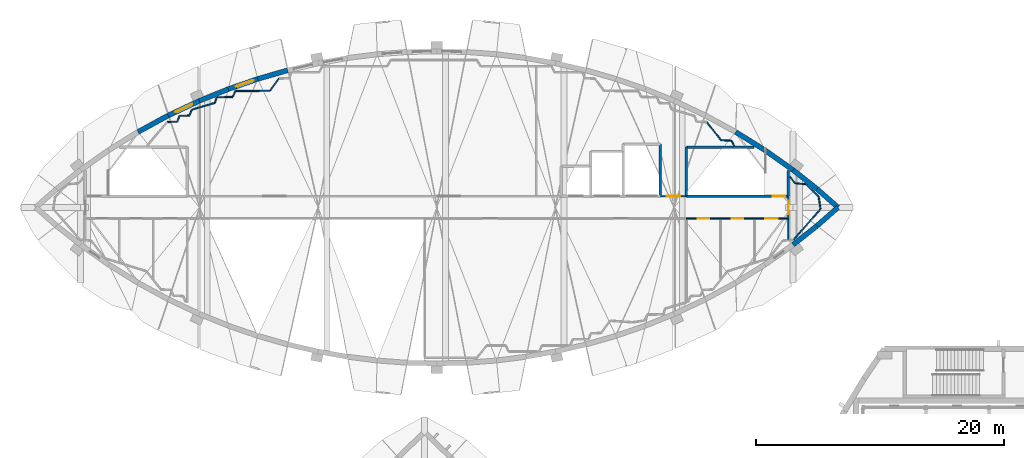
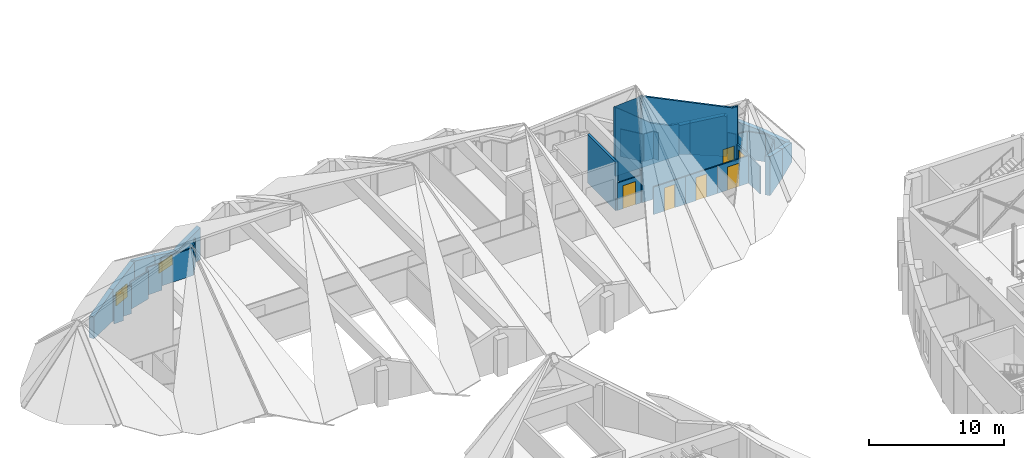
# One storey, part 41 of 56: 40 walls, 6 doors, 2 windows, 8 openings.
"""IFC4 building model written with IfcOpenShell, lengths in metres."""

from ifc_helpers import new_model, si_unit, direction, frame, frame_2d, origin, place, context, subcontext, project, spatial, polyline, rectangle, outline, extrude, material, layer, layer_set, type_object, element, fill, save


model = new_model("IFC4")

# Units and contexts
model_context = context("Model", 3, precision=1e-05, world=origin(), true_north=direction((0.0, 1.0)))
body_context = subcontext(model_context, "Body", "Model", "MODEL_VIEW")
ifc_project = project(units=[si_unit("LENGTHUNIT", "METRE"), si_unit("AREAUNIT", "SQUARE_METRE"), si_unit("VOLUMEUNIT", "CUBIC_METRE"), si_unit("PLANEANGLEUNIT", "RADIAN"), si_unit("MASSUNIT", "GRAM", prefix="KILO")], contexts=[model_context])

# Site, building, storey
site_placement = place(None, origin())
site = spatial("IfcSite", under=ifc_project, at=site_placement, CompositionType="ELEMENT")
building_placement = place(site_placement, origin())
building = spatial("IfcBuilding", under=site, at=building_placement, Name="Tide Square Theatres", CompositionType="ELEMENT")
storey_placement = place(building_placement, frame((0.0, 0.0, 10.199951171875)))
storey = spatial("IfcBuildingStorey", under=building, at=storey_placement, Name="L02", CompositionType="ELEMENT", Elevation=10.199951171875)

# Walls
ifc_material_1 = material(Name="Gypsum board on steel studs", Category="steel")
ifc_layer_1 = layer(ifc_material_1, 0.10009765625)
ifc_layer_set_1 = layer_set([ifc_layer_1], Name="Gypsum board on steel studs")
wall_type_1 = type_object("IfcWallType", Name="Partition 100 thick", PredefinedType="PARTITIONING", material=ifc_layer_set_1)
wall_1_placement = place(storey_placement, frame((15.31689453125, 104.671630859375, 0.0), z_axis=(0.0, 0.0, 1.0), x_axis=(0.999041078843, 0.043782676762, 0.0)))
element("IfcWall", 1, at=wall_1_placement, inside=storey, type_object=wall_type_1, Name="Scenery Workshops partition", PredefinedType="PARTITIONING", context=body_context, shape_type="SweptSolid", body=[
    extrude(rectangle(XDim=0.79736328125, YDim=0.10009765625, at=frame_2d((0.398681640625, 0.0))), origin(), (0.0, 0.0, 1.0), 2.5),
])
wall_2_placement = place(storey_placement, frame((16.12353515625, 104.734619140625, 0.0), z_axis=(0.0, 0.0, 1.0), x_axis=(0.332820117735, 0.942990333583, 0.0)))
element("IfcWall", 2, at=wall_2_placement, inside=storey, type_object=wall_type_1, Name="Scenery Workshops partition", PredefinedType="PARTITIONING", context=body_context, shape_type="SweptSolid", body=[
    extrude(rectangle(XDim=0.462158203125, YDim=0.10009765625, at=frame_2d((0.23095703125, 0.0))), origin(), (0.0, 0.0, 1.0), 2.5),
])
wall_3_placement = place(storey_placement, frame((16.307373046875, 105.171142578125, 0.0), z_axis=(0.0, 0.0, 1.0), x_axis=(0.999576631728, 0.029095657825, 0.0)))
element("IfcWall", 3, at=wall_3_placement, inside=storey, type_object=wall_type_1, Name="Scenery Workshops partition", PredefinedType="PARTITIONING", context=body_context, shape_type="SweptSolid", body=[
    extrude(rectangle(XDim=0.7802734375, YDim=0.10009765625, at=frame_2d((0.39013671875, 0.0))), origin(), (0.0, 0.0, 1.0), 2.5),
])
wall_4_placement = place(storey_placement, frame((17.0986328125, 105.2216796875, 0.0), z_axis=(0.0, 0.0, 1.0), x_axis=(0.372361867237, 0.928087625081, 0.0)))
element("IfcWall", 4, at=wall_4_placement, inside=storey, type_object=wall_type_1, Name="Scenery Workshops partition", PredefinedType="PARTITIONING", context=body_context, shape_type="SweptSolid", body=[
    extrude(rectangle(XDim=0.4765625, YDim=0.10009765625, at=frame_2d((0.23828125, 0.0))), origin(), (0.0, 0.0, 1.0), 2.5),
])
wall_5_placement = place(storey_placement, frame((17.304931640625, 105.672607421875, 0.0), z_axis=(0.0, 0.0, 1.0), x_axis=(0.958756845545, 0.284227569247, 0.0)))
element("IfcWall", 5, at=wall_5_placement, inside=storey, type_object=wall_type_1, Name="Scenery Workshops partition", PredefinedType="PARTITIONING", context=body_context, shape_type="SweptSolid", body=[
    extrude(rectangle(XDim=1.910400390625, YDim=0.10009765625, at=frame_2d((0.955078125, 0.0))), origin(), (0.0, 0.0, 1.0), 2.5),
])
wall_6_placement = place(storey_placement, frame((19.145263671875, 106.244140625, 0.0), z_axis=(0.0, 0.0, 1.0), x_axis=(0.293663113094, 0.955908978935, 0.0)))
element("IfcWall", 6, at=wall_6_placement, inside=storey, type_object=wall_type_1, Name="Scenery Workshops partition", PredefinedType="PARTITIONING", context=body_context, shape_type="SweptSolid", body=[
    extrude(rectangle(XDim=0.446533203125, YDim=0.10009765625, at=frame_2d((0.22314453125, 0.0))), origin(), (0.0, 0.0, 1.0), 2.5),
])
wall_7_placement = place(storey_placement, frame((19.306396484375, 106.671142578125, 0.0), z_axis=(0.0, 0.0, 1.0), x_axis=(0.999946760125, 0.010318765243, 0.0)))
element("IfcWall", 7, at=wall_7_placement, inside=storey, type_object=wall_type_1, Name="Scenery Workshops partition", PredefinedType="PARTITIONING", context=body_context, shape_type="SweptSolid", body=[
    extrude(rectangle(XDim=1.25390625, YDim=0.10009765625, at=frame_2d((0.626953125, 0.0))), origin(), (0.0, 0.0, 1.0), 2.5),
])
wall_8_placement = place(storey_placement, frame((20.572509765625, 106.71142578125, 0.0), z_axis=(0.0, 0.0, 1.0), x_axis=(0.412014757563, 0.911177172426, 0.0)))
element("IfcWall", 8, at=wall_8_placement, inside=storey, type_object=wall_type_1, Name="Scenery Workshops partition", PredefinedType="PARTITIONING", context=body_context, shape_type="SweptSolid", body=[
    extrude(rectangle(XDim=0.504150390625, YDim=0.10009765625, at=frame_2d((0.251953125, 0.0))), origin(), (0.0, 0.0, 1.0), 2.5),
])
wall_9_placement = place(storey_placement, frame((20.810302734375, 107.171142578125, 0.0), z_axis=(0.0, 0.0, 1.0), x_axis=(0.999988553572, 0.004784634228, 0.0)))
element("IfcWall", 9, at=wall_9_placement, inside=storey, type_object=wall_type_1, Name="Scenery Workshops partition", PredefinedType="PARTITIONING", context=body_context, shape_type="SweptSolid", body=[
    extrude(rectangle(XDim=2.75537109375, YDim=0.10009765625, at=frame_2d((1.377685546875, 0.0))), origin(), (0.0, 0.0, 1.0), 2.5),
])
wall_10_placement = place(storey_placement, frame((23.58349609375, 107.20849609375, 0.0), z_axis=(0.0, 0.0, 1.0), x_axis=(0.589317177095, 0.807901766789, 0.0)))
element("IfcWall", 10, at=wall_10_placement, inside=storey, type_object=wall_type_1, Name="Scenery Workshops partition", PredefinedType="PARTITIONING", context=body_context, shape_type="SweptSolid", body=[
    extrude(rectangle(XDim=1.190673828125, YDim=0.10009765625, at=frame_2d((0.59521484375, 0.0))), origin(), (0.0, 0.0, 1.0), 2.5),
])
wall_11_placement = place(storey_placement, frame((58.738037109375, 104.6552734375, 0.0), z_axis=(0.0, 0.0, 1.0), x_axis=(0.622327045202, -0.782757337117, 0.0)))
element("IfcWall", 11, at=wall_11_placement, inside=storey, type_object=wall_type_1, Name="Scenery Workshops partition", PredefinedType="PARTITIONING", context=body_context, shape_type="SweptSolid", body=[
    extrude(rectangle(XDim=1.8505859375, YDim=0.10009765625, at=frame_2d((0.92529296875, 0.0))), origin(), (0.0, 0.0, 1.0), 2.5),
])
wall_12_placement = place(storey_placement, frame((59.90966796875, 103.2060546875, 0.0), z_axis=(0.0, 0.0, 1.0), x_axis=(0.999060075572, -0.043347034482, 0.0)))
element("IfcWall", 12, at=wall_12_placement, inside=storey, type_object=wall_type_1, Name="Scenery Workshops partition", PredefinedType="PARTITIONING", context=body_context, shape_type="SweptSolid", body=[
    extrude(rectangle(XDim=0.822265625, YDim=0.10009765625, at=frame_2d((0.4111328125, 0.0))), origin(), (0.0, 0.0, 1.0), 2.5),
])
wall_13_placement = place(storey_placement, frame((60.74462890625, 103.1435546875, 0.0), z_axis=(0.0, 0.0, 1.0), x_axis=(0.450395374541, -0.892829214683, 0.0)))
element("IfcWall", 13, at=wall_13_placement, inside=storey, type_object=wall_type_1, Name="Scenery Workshops partition", PredefinedType="PARTITIONING", context=body_context, shape_type="SweptSolid", body=[
    extrude(rectangle(XDim=0.42919921875, YDim=0.10009765625, at=frame_2d((0.214599609375, 0.0))), origin(), (0.0, 0.0, 1.0), 2.5),
])

# Wall, opening, door
wall_14_placement = place(storey_placement, frame((55.030029296875, 98.699951171875, 0.0), z_axis=(0.0, 0.0, 1.0), x_axis=(1.0, 0.0, 0.0)))
wall_14 = element("IfcWall", 14, at=wall_14_placement, inside=storey, type_object=wall_type_1, Name="Scenery Workshops partition", PredefinedType="PARTITIONING", context=body_context, shape_type="SweptSolid", body=[
    extrude(rectangle(XDim=2.0400390625, YDim=0.10009765625, at=frame_2d((1.02001953125, 0.0))), origin(), (0.0, 0.0, 1.0), 2.5),
])
opening_1_placement = place(wall_14_placement, frame((0.469970703125, 0.0, 0.0)))
opening_1 = element("IfcOpeningElement", 15, at=opening_1_placement, cuts=wall_14, Name="Opening W2-13", PredefinedType="OPENING", context=body_context, shape_type="SweptSolid", body=[
    extrude(rectangle(XDim=1.10009765625, YDim=2.10009765625, at=frame_2d((0.550048828125, 1.050048828125))), frame((0.0, 0.06005859375, 0.0), z_axis=(0.0, -1.0, 0.0), x_axis=(1.0, 0.0, 0.0)), (0.0, 0.0, 1.0), 0.1201171875),
])
ifc_material_2 = material(Name="Painted steel", Category="steel")
door_type_1 = type_object("IfcDoorType", Name="Door 1100 x 2100 single leaf", OperationType="NOTDEFINED", PredefinedType="DOOR", material=ifc_material_2)
door_1_placement = place(opening_1_placement, origin())
door_1 = element("IfcDoor", 16, at=door_1_placement, inside=storey, type_object=door_type_1, Name="Scenery Workshops door W2-13 to Timber and Paint Store 02", OperationType="SINGLE_SWING_RIGHT", OverallHeight=2.10009765625, OverallWidth=1.10009765625, PredefinedType="DOOR", context=body_context, shape_type="SweptSolid", body=[
    extrude(rectangle(XDim=1.10009765625, YDim=2.10009765625, at=frame_2d((0.550048828125, 1.050048828125))), frame((0.0, 0.02490234375, 0.0), z_axis=(0.0, -1.0, 0.0), x_axis=(1.0, 0.0, 0.0)), (0.0, 0.0, 1.0), 0.050048828125),
])
fill(opening_1, door_1)

wall_15_placement = place(storey_placement, frame((59.833251953125, 96.89990234375, 0.0), z_axis=(0.0, 0.0, 1.0), x_axis=(-1.0, 0.0, 0.0)))
wall_15 = element("IfcWall", 17, at=wall_15_placement, inside=storey, type_object=wall_type_1, Name="Scenery Workshops partition", PredefinedType="PARTITIONING", context=body_context, shape_type="SweptSolid", body=[
    extrude(rectangle(XDim=2.733154296875, YDim=0.10009765625, at=frame_2d((1.36669921875, 0.0))), origin(), (0.0, 0.0, 1.0), 2.5),
])
opening_2_placement = place(wall_15_placement, frame((0.916748046875, 0.0, 0.0)))
opening_2 = element("IfcOpeningElement", 18, at=opening_2_placement, cuts=wall_15, Name="Opening W2-04", PredefinedType="OPENING", context=body_context, shape_type="SweptSolid", body=[
    extrude(rectangle(XDim=0.89990234375, YDim=2.10009765625, at=frame_2d((0.449951171875, 1.050048828125))), frame((0.0, 0.06005859375, 0.0), z_axis=(0.0, -1.0, 0.0), x_axis=(1.0, 0.0, 0.0)), (0.0, 0.0, 1.0), 0.1201171875),
])
ifc_material_3 = material(Name="Hardwood timber", Category="wood")
door_type_2 = type_object("IfcDoorType", Name="Door 900 x 2100 single leaf", OperationType="NOTDEFINED", PredefinedType="DOOR", material=ifc_material_3)
door_2_placement = place(opening_2_placement, origin())
door_2 = element("IfcDoor", 19, at=door_2_placement, inside=storey, type_object=door_type_2, Name="Scenery Workshops door W2-04 to Gents WC E", OperationType="SINGLE_SWING_RIGHT", OverallHeight=2.10009765625, OverallWidth=0.89990234375, PredefinedType="DOOR", context=body_context, shape_type="SweptSolid", body=[
    extrude(rectangle(XDim=0.89990234375, YDim=2.10009765625, at=frame_2d((0.449951171875, 1.050048828125))), frame((0.0, 0.02490234375, 0.0), z_axis=(0.0, -1.0, 0.0), x_axis=(1.0, 0.0, 0.0)), (0.0, 0.0, 1.0), 0.050048828125),
])
fill(opening_2, door_2)

wall_16_placement = place(storey_placement, frame((62.566650390625, 96.89990234375, 0.0), z_axis=(0.0, 0.0, 1.0), x_axis=(-1.0, 0.0, 0.0)))
wall_16 = element("IfcWall", 20, at=wall_16_placement, inside=storey, type_object=wall_type_1, Name="Scenery Workshops partition", PredefinedType="PARTITIONING", context=body_context, shape_type="SweptSolid", body=[
    extrude(rectangle(XDim=2.7333984375, YDim=0.10009765625, at=frame_2d((1.36669921875, 0.0))), origin(), (0.0, 0.0, 1.0), 2.5),
])
opening_3_placement = place(wall_16_placement, frame((0.916748046875, 0.0, 0.0)))
opening_3 = element("IfcOpeningElement", 21, at=opening_3_placement, cuts=wall_16, Name="Opening W2-05", PredefinedType="OPENING", context=body_context, shape_type="SweptSolid", body=[
    extrude(rectangle(XDim=0.89990234375, YDim=2.10009765625, at=frame_2d((0.449951171875, 1.050048828125))), frame((0.0, 0.06005859375, 0.0), z_axis=(0.0, -1.0, 0.0), x_axis=(1.0, 0.0, 0.0)), (0.0, 0.0, 1.0), 0.1201171875),
])
door_3_placement = place(opening_3_placement, origin())
door_3 = element("IfcDoor", 22, at=door_3_placement, inside=storey, type_object=door_type_2, Name="Scenery Workshops door W2-05 to Ladies WC E", OperationType="SINGLE_SWING_RIGHT", OverallHeight=2.10009765625, OverallWidth=0.89990234375, PredefinedType="DOOR", context=body_context, shape_type="SweptSolid", body=[
    extrude(rectangle(XDim=0.89990234375, YDim=2.10009765625, at=frame_2d((0.449951171875, 1.050048828125))), frame((0.0, 0.02490234375, 0.0), z_axis=(0.0, -1.0, 0.0), x_axis=(1.0, 0.0, 0.0)), (0.0, 0.0, 1.0), 0.050048828125),
])
fill(opening_3, door_3)

wall_17_placement = place(storey_placement, frame((65.300048828125, 96.89990234375, 0.0), z_axis=(0.0, 0.0, 1.0), x_axis=(-1.0, 0.0, 0.0)))
wall_17 = element("IfcWall", 23, at=wall_17_placement, inside=storey, type_object=wall_type_1, Name="Scenery Workshops partition", PredefinedType="PARTITIONING", context=body_context, shape_type="SweptSolid", body=[
    extrude(rectangle(XDim=2.7333984375, YDim=0.10009765625, at=frame_2d((1.36669921875, 0.0))), origin(), (0.0, 0.0, 1.0), 2.5),
])
opening_4_placement = place(wall_17_placement, frame((0.86669921875, 0.0, 0.0)))
opening_4 = element("IfcOpeningElement", 24, at=opening_4_placement, cuts=wall_17, Name="Opening W2-06", PredefinedType="OPENING", context=body_context, shape_type="SweptSolid", body=[
    extrude(rectangle(XDim=1.0, YDim=2.10009765625, at=frame_2d((0.5, 1.050048828125))), frame((0.0, 0.06005859375, 0.0), z_axis=(0.0, -1.0, 0.0), x_axis=(1.0, 0.0, 0.0)), (0.0, 0.0, 1.0), 0.1201171875),
])
ifc_material_4 = material(Name="Hardwood timber", Category="wood")
door_type_3 = type_object("IfcDoorType", Name="Door 1000 x 2100 single leaf", OperationType="NOTDEFINED", PredefinedType="DOOR", material=ifc_material_4)
door_4_placement = place(opening_4_placement, origin())
door_4 = element("IfcDoor", 25, at=door_4_placement, inside=storey, type_object=door_type_3, Name="Scenery Workshops door W2-06 to Accessible WC E", OperationType="SINGLE_SWING_RIGHT", OverallHeight=2.10009765625, OverallWidth=1.0, PredefinedType="DOOR", context=body_context, shape_type="SweptSolid", body=[
    extrude(rectangle(XDim=1.0, YDim=2.10009765625, at=frame_2d((0.5, 1.050048828125))), frame((0.0, 0.02490234375, 0.0), z_axis=(0.0, -1.0, 0.0), x_axis=(1.0, 0.0, 0.0)), (0.0, 0.0, 1.0), 0.050048828125),
])
fill(opening_4, door_4)

# Walls
wall_18_placement = place(storey_placement, frame((66.751953125, 99.641845703125, 0.0), z_axis=(0.0, 0.0, 1.0), x_axis=(0.707106781187, -0.707106781187, 0.0)))
element("IfcWall", 26, at=wall_18_placement, inside=storey, type_object=wall_type_1, Name="Scenery Workshops partition", PredefinedType="PARTITIONING", context=body_context, shape_type="SweptSolid", body=[
    extrude(rectangle(XDim=1.402099609375, YDim=0.10009765625, at=frame_2d((0.701171875, 0.0))), origin(), (0.0, 0.0, 1.0), 2.5),
])
wall_19_placement = place(storey_placement, frame((67.746337890625, 98.630615234375, 0.0), z_axis=(0.0, 0.0, 1.0), x_axis=(0.146903586496, -0.989150815738, 0.0)))
element("IfcWall", 27, at=wall_19_placement, inside=storey, type_object=wall_type_1, Name="Scenery Workshops partition", PredefinedType="PARTITIONING", context=body_context, shape_type="SweptSolid", body=[
    extrude(rectangle(XDim=0.97216796875, YDim=0.10009765625, at=frame_2d((0.486083984375, 0.0))), origin(), (0.0, 0.0, 1.0), 2.5),
])
wall_20_placement = place(storey_placement, frame((67.8759765625, 97.65380859375, 0.0), z_axis=(0.0, 0.0, 1.0), x_axis=(-0.658039089544, -0.752983769169, 0.0)))
element("IfcWall", 28, at=wall_20_placement, inside=storey, type_object=wall_type_1, Name="Scenery Workshops partition", PredefinedType="PARTITIONING", context=body_context, shape_type="SweptSolid", body=[
    extrude(rectangle(XDim=3.268310546875, YDim=0.10009765625, at=frame_2d((1.63427734375, 0.0))), origin(), (0.0, 0.0, 1.0), 2.5),
])
wall_21_placement = place(storey_placement, frame((65.300048828125, 96.8701171875, 0.0), z_axis=(0.0, 0.0, 1.0), x_axis=(0.0, -1.0, 0.0)))
element("IfcWall", 29, at=wall_21_placement, inside=storey, type_object=wall_type_1, Name="Scenery Workshops partition", PredefinedType="PARTITIONING", context=body_context, shape_type="SweptSolid", body=[
    extrude(rectangle(XDim=1.6708984375, YDim=0.10009765625, at=frame_2d((0.83544921875, 0.0))), origin(), (0.0, 0.0, 1.0), 2.5),
])

# Wall, opening, door
wall_22_placement = place(storey_placement, frame((65.300048828125, 98.669921875, 0.0), z_axis=(0.0, 0.0, 1.0), x_axis=(0.0, -1.0, 0.0)))
wall_22 = element("IfcWall", 30, at=wall_22_placement, inside=storey, type_object=wall_type_1, Name="Scenery Workshops partition", PredefinedType="PARTITIONING", context=body_context, shape_type="SweptSolid", body=[
    extrude(rectangle(XDim=1.77001953125, YDim=0.10009765625, at=frame_2d((0.885009765625, 0.0))), origin(), (0.0, 0.0, 1.0), 2.5),
])
opening_5_placement = place(wall_22_placement, frame((0.320068359375, 0.0, 0.0)))
opening_5 = element("IfcOpeningElement", 31, at=opening_5_placement, cuts=wall_22, Name="Opening W2-08", PredefinedType="OPENING", context=body_context, shape_type="SweptSolid", body=[
    extrude(rectangle(XDim=1.10009765625, YDim=2.10009765625, at=frame_2d((0.550048828125, 1.050048828125))), frame((0.0, 0.06005859375, 0.0), z_axis=(0.0, -1.0, 0.0), x_axis=(1.0, 0.0, 0.0)), (0.0, 0.0, 1.0), 0.1201171875),
])
door_5_placement = place(opening_5_placement, origin())
door_5 = element("IfcDoor", 32, at=door_5_placement, inside=storey, type_object=door_type_1, Name="Scenery Workshops door W2-08 to Plant Room E", OperationType="SINGLE_SWING_RIGHT", OverallHeight=2.10009765625, OverallWidth=1.10009765625, PredefinedType="DOOR", context=body_context, shape_type="SweptSolid", body=[
    extrude(rectangle(XDim=1.10009765625, YDim=2.10009765625, at=frame_2d((0.550048828125, 1.050048828125))), frame((0.0, 0.02490234375, 0.0), z_axis=(0.0, -1.0, 0.0), x_axis=(1.0, 0.0, 0.0)), (0.0, 0.0, 1.0), 0.050048828125),
])
fill(opening_5, door_5)

# Walls
wall_23_placement = place(storey_placement, frame((65.42822265625, 100.2685546875, 0.0), z_axis=(0.0, 0.0, 1.0), x_axis=(0.614419858807, -0.788979237435, 0.0)))
element("IfcWall", 33, at=wall_23_placement, inside=storey, type_object=wall_type_1, Name="Scenery Workshops partition", PredefinedType="PARTITIONING", context=body_context, shape_type="SweptSolid", body=[
    extrude(rectangle(XDim=0.669921875, YDim=0.10009765625, at=frame_2d((0.3349609375, 0.0))), origin(), (0.0, 0.0, 1.0), 2.5),
])
wall_24_placement = place(storey_placement, frame((65.85986328125, 99.73828125, 0.0), z_axis=(0.0, 0.0, 1.0), x_axis=(0.996891685656, -0.078784307254, 0.0)))
element("IfcWall", 34, at=wall_24_placement, inside=storey, type_object=wall_type_1, Name="Scenery Workshops partition", PredefinedType="PARTITIONING", context=body_context, shape_type="SweptSolid", body=[
    extrude(rectangle(XDim=0.8583984375, YDim=0.10009765625, at=frame_2d((0.42919921875, 0.0))), origin(), (0.0, 0.0, 1.0), 2.5),
])
ifc_material_5 = material(Name="Concrete C40", Category="concrete")
ifc_layer_2 = layer(ifc_material_5, 0.39990234375)
ifc_layer_set_2 = layer_set([ifc_layer_2], Name="Concrete C40")
wall_type_2 = type_object("IfcWallType", Name="RC curved wall 400 thick", PredefinedType="SOLIDWALL", material=ifc_layer_set_2)
wall_25_placement = place(storey_placement, frame((65.68017578125, 94.79150390625, 0.0), z_axis=(0.0, 0.0, 1.0), x_axis=(0.784278812541, 0.620408530082, 0.0)))
element("IfcWall", 35, at=wall_25_placement, inside=storey, type_object=wall_type_2, Name="Scenery Workshops perimeter wall 026", PredefinedType="SOLIDWALL", context=body_context, shape_type="SweptSolid", body=[
    extrude(outline(polyline([(0.0, 0.0), (2.464111328125, 0.0), (2.464111328125, 2.650634765625), (2.41357421875, 2.669189453125), (0.334716796875, 3.428466796875), (0.176513671875, 3.486083984375), (0.0, 3.550537109375), (0.0, 0.0)])), frame((0.0, 0.199951171875, 0.0), z_axis=(0.0, -1.0, 0.0), x_axis=(1.0, 0.0, 0.0)), (0.0, 0.0, 1.0), 0.39990234375),
])
wall_26_placement = place(storey_placement, frame((67.61279296875, 96.3203125, 0.0), z_axis=(0.0, 0.0, 1.0), x_axis=(0.751212351098, 0.660060605973, 0.0)))
element("IfcWall", 36, at=wall_26_placement, inside=storey, type_object=wall_type_2, Name="Scenery Workshops perimeter wall 027", PredefinedType="SOLIDWALL", context=body_context, shape_type="SweptSolid", body=[
    extrude(outline(polyline([(0.0, 0.0), (2.24169921875, 0.0), (2.241943359375, 1.7509765625), (2.158935546875, 1.784423828125), (2.09716796875, 1.80908203125), (1.869384765625, 1.900634765625), (0.0, 2.647216796875), (0.0, 0.0)])), frame((0.0, 0.199951171875, 0.0), z_axis=(0.0, -1.0, 0.0), x_axis=(1.0, 0.0, 0.0)), (0.0, 0.0, 1.0), 0.39990234375),
])
wall_27_placement = place(storey_placement, frame((69.296875, 97.800048828125, 0.0), z_axis=(0.0, 0.0, 1.0), x_axis=(-0.751212351098, 0.660060605973, 0.0)))
element("IfcWall", 37, at=wall_27_placement, inside=storey, type_object=wall_type_2, Name="Scenery Workshops perimeter wall 028", PredefinedType="SOLIDWALL", context=body_context, shape_type="SweptSolid", body=[
    extrude(outline(polyline([(0.0, 0.0), (2.24169921875, 0.0), (2.241943359375, 2.647216796875), (2.2021484375, 2.635009765625), (0.372314453125, 1.900634765625), (0.144775390625, 1.80908203125), (0.0830078125, 1.7841796875), (0.0, 1.7509765625), (0.0, 0.0)])), frame((0.0, 0.199951171875, 0.0), z_axis=(0.0, -1.0, 0.0), x_axis=(1.0, 0.0, 0.0)), (0.0, 0.0, 1.0), 0.39990234375),
])
wall_28_placement = place(storey_placement, frame((67.61279296875, 99.27978515625, 0.0), z_axis=(0.0, 0.0, 1.0), x_axis=(-0.784278812541, 0.620408530082, 0.0)))
element("IfcWall", 38, at=wall_28_placement, inside=storey, type_object=wall_type_2, Name="Scenery Workshops perimeter wall 029", PredefinedType="SOLIDWALL", context=body_context, shape_type="SweptSolid", body=[
    extrude(outline(polyline([(0.0, 0.0), (2.464111328125, 0.0), (2.464111328125, 3.550537109375), (2.44580078125, 3.5439453125), (2.28759765625, 3.486083984375), (2.12939453125, 3.428466796875), (0.05078125, 2.669189453125), (0.0, 2.650634765625), (0.0, 0.0)])), frame((0.0, 0.199951171875, 0.0), z_axis=(0.0, -1.0, 0.0), x_axis=(1.0, 0.0, 0.0)), (0.0, 0.0, 1.0), 0.39990234375),
])
wall_29_placement = place(storey_placement, frame((65.68017578125, 100.80859375, 0.0), z_axis=(0.0, 0.0, 1.0), x_axis=(-0.817070367038, 0.57653795652, 0.0)))
element("IfcWall", 39, at=wall_29_placement, inside=storey, type_object=wall_type_2, Name="Scenery Workshops perimeter wall 030", PredefinedType="SOLIDWALL", context=body_context, shape_type="SweptSolid", body=[
    extrude(outline(polyline([(0.0, 0.0), (2.77197265625, 0.0), (2.772216796875, 2.848388671875), (2.405517578125, 2.967529296875), (0.310546875, 3.6474609375), (0.16943359375, 3.693359375), (0.0, 3.554931640625), (0.0, 0.0)])), frame((0.0, 0.199951171875, 0.0), z_axis=(0.0, -1.0, 0.0), x_axis=(1.0, 0.0, 0.0)), (0.0, 0.0, 1.0), 0.39990234375),
])
wall_30_placement = place(storey_placement, frame((63.415283203125, 102.40673828125, 0.0), z_axis=(0.0, 0.0, 1.0), x_axis=(-0.84912946359, 0.528184772653, 0.0)))
element("IfcWall", 40, at=wall_30_placement, inside=storey, type_object=wall_type_2, Name="Scenery Workshops perimeter wall 031", PredefinedType="SOLIDWALL", context=body_context, shape_type="SweptSolid", body=[
    extrude(outline(polyline([(0.0, 0.0), (2.77197265625, 0.0), (2.771728515625, 1.969970703125), (2.24658203125, 2.140380859375), (0.32080078125, 2.75732421875), (0.0, 2.844970703125), (0.0, 0.0)])), frame((0.0, 0.199951171875, 0.0), z_axis=(0.0, -1.0, 0.0), x_axis=(1.0, 0.0, 0.0)), (0.0, 0.0, 1.0), 0.39990234375),
])
wall_31_placement = place(storey_placement, frame((24.99365234375, 108.836181640625, 0.0), z_axis=(0.0, 0.0, 1.0), x_axis=(-0.961008605775, -0.276518461637, 0.0)))
element("IfcWall", 41, at=wall_31_placement, inside=storey, type_object=wall_type_2, Name="Scenery Workshops perimeter wall 047", PredefinedType="SOLIDWALL", context=body_context, shape_type="SweptSolid", body=[
    extrude(outline(polyline([(0.0, 0.0), (2.510986328125, 0.0), (2.510986328125, 2.014892578125), (2.47900390625, 2.01806640625), (0.0, 2.906494140625), (0.0, 0.0)])), frame((0.0, 0.199951171875, 0.0), z_axis=(0.0, -1.0, 0.0), x_axis=(1.0, 0.0, 0.0)), (0.0, 0.0, 1.0), 0.39990234375),
])

# Wall, opening, window
wall_32_placement = place(storey_placement, frame((22.58056640625, 108.141845703125, 0.0), z_axis=(0.0, 0.0, 1.0), x_axis=(-0.945175475032, -0.326562890417, 0.0)))
wall_32 = element("IfcWall", 42, at=wall_32_placement, inside=storey, type_object=wall_type_2, Name="Scenery Workshops perimeter wall 048", PredefinedType="SOLIDWALL", context=body_context, shape_type="SweptSolid", body=[
    extrude(outline(polyline([(0.0, 0.0), (2.51123046875, 0.0), (2.510986328125, 2.913330078125), (2.382080078125, 2.872314453125), (0.189697265625, 2.08642578125), (0.0, 2.0185546875), (0.0, 0.0)])), frame((0.0, 0.199951171875, 0.0), z_axis=(0.0, -1.0, 0.0), x_axis=(1.0, 0.0, 0.0)), (0.0, 0.0, 1.0), 0.39990234375),
])
opening_6_placement = place(wall_32_placement, frame((0.35546875, 0.0, 0.89990234375)))
opening_6 = element("IfcOpeningElement", 43, at=opening_6_placement, cuts=wall_32, Name="Opening WN-04", PredefinedType="OPENING", context=body_context, shape_type="SweptSolid", body=[
    extrude(rectangle(XDim=1.5, YDim=0.89990234375, at=frame_2d((0.75, 0.449951171875))), frame((0.0, 0.2099609375, 0.0), z_axis=(0.0, -1.0, 0.0), x_axis=(1.0, 0.0, 0.0)), (0.0, 0.0, 1.0), 0.419921875),
])
ifc_material_6 = material(Name="Aluminium with laminated glass", Category="aluminium")
window_type_1 = type_object("IfcWindowType", Name="Window 1500 x 900", PartitioningType="SINGLE_PANEL", PredefinedType="WINDOW", material=ifc_material_6)
window_1_placement = place(opening_6_placement, origin())
window_1 = element("IfcWindow", 44, at=window_1_placement, inside=storey, type_object=window_type_1, Name="Scenery Workshops window L02-99", OverallHeight=0.89990234375, OverallWidth=1.5, PartitioningType="SINGLE_PANEL", PredefinedType="WINDOW", context=body_context, shape_type="SweptSolid", body=[
    extrude(rectangle(XDim=1.5, YDim=0.89990234375, at=frame_2d((0.75, 0.449951171875))), frame((0.0, 0.030029296875, 0.0), z_axis=(0.0, -1.0, 0.0), x_axis=(1.0, 0.0, 0.0)), (0.0, 0.0, 1.0), 0.06005859375),
])
fill(opening_6, window_1)

# Wall
wall_33_placement = place(storey_placement, frame((20.20703125, 107.32177734375, 0.0), z_axis=(0.0, 0.0, 1.0), x_axis=(-0.926688932252, -0.375829246921, 0.0)))
element("IfcWall", 45, at=wall_33_placement, inside=storey, type_object=wall_type_2, Name="Scenery Workshops perimeter wall 049", PredefinedType="SOLIDWALL", context=body_context, shape_type="SweptSolid", body=[
    extrude(outline(polyline([(0.0, 0.0), (2.5107421875, 0.0), (2.5107421875, 3.719970703125), (2.479736328125, 3.73193359375), (2.398681640625, 3.77685546875), (2.3173828125, 3.74755859375), (0.144287109375, 2.96875), (0.0, 2.9169921875), (0.0, 0.0)])), frame((0.0, 0.199951171875, 0.0), z_axis=(0.0, -1.0, 0.0), x_axis=(1.0, 0.0, 0.0)), (0.0, 0.0, 1.0), 0.39990234375),
])

# Wall, opening, window
wall_34_placement = place(storey_placement, frame((17.88037109375, 106.378173828125, 0.0), z_axis=(0.0, 0.0, 1.0), x_axis=(-0.904561064695, -0.42634408667, 0.0)))
wall_34 = element("IfcWall", 46, at=wall_34_placement, inside=storey, type_object=wall_type_2, Name="Scenery Workshops perimeter wall 050", PredefinedType="SOLIDWALL", context=body_context, shape_type="SweptSolid", body=[
    extrude(outline(polyline([(0.0, 0.0), (2.772216796875, 0.0), (2.772216796875, 2.81103515625), (2.749267578125, 2.81982421875), (0.209228515625, 3.648193359375), (0.114990234375, 3.678955078125), (0.0, 3.716064453125), (0.0, 0.0)])), frame((0.0, 0.199951171875, 0.0), z_axis=(0.0, -1.0, 0.0), x_axis=(1.0, 0.0, 0.0)), (0.0, 0.0, 1.0), 0.39990234375),
])
opening_7_placement = place(wall_34_placement, frame((0.635986328125, 0.0, 0.89990234375)))
opening_7 = element("IfcOpeningElement", 47, at=opening_7_placement, cuts=wall_34, Name="Opening WN-03", PredefinedType="OPENING", context=body_context, shape_type="SweptSolid", body=[
    extrude(rectangle(XDim=1.5, YDim=1.199951171875, at=frame_2d((0.75, 0.60009765625))), frame((0.0, 0.2099609375, 0.0), z_axis=(0.0, -1.0, 0.0), x_axis=(1.0, 0.0, 0.0)), (0.0, 0.0, 1.0), 0.419921875),
])
ifc_material_7 = material(Name="Aluminium with laminated glass", Category="aluminium")
window_type_2 = type_object("IfcWindowType", Name="Window 1500 x 1200", PartitioningType="SINGLE_PANEL", PredefinedType="WINDOW", material=ifc_material_7)
window_2_placement = place(opening_7_placement, origin())
window_2 = element("IfcWindow", 48, at=window_2_placement, inside=storey, type_object=window_type_2, Name="Scenery Workshops window L02-100", OverallHeight=1.199951171875, OverallWidth=1.5, PartitioningType="SINGLE_PANEL", PredefinedType="WINDOW", context=body_context, shape_type="SweptSolid", body=[
    extrude(rectangle(XDim=1.5, YDim=1.199951171875, at=frame_2d((0.75, 0.60009765625))), frame((0.0, 0.030029296875, 0.0), z_axis=(0.0, -1.0, 0.0), x_axis=(1.0, 0.0, 0.0)), (0.0, 0.0, 1.0), 0.06005859375),
])
fill(opening_7, window_2)

# Walls
wall_35_placement = place(storey_placement, frame((15.372802734375, 105.1962890625, 0.0), z_axis=(0.0, 0.0, 1.0), x_axis=(-0.878255502871, -0.478191668347, 0.0)))
element("IfcWall", 49, at=wall_35_placement, inside=storey, type_object=wall_type_2, Name="Scenery Workshops perimeter wall 051", PredefinedType="SOLIDWALL", context=body_context, shape_type="SweptSolid", body=[
    extrude(outline(polyline([(0.0, 0.0), (2.771728515625, 0.0), (2.771728515625, 1.96630859375), (2.714599609375, 1.950439453125), (0.0, 2.80712890625), (0.0, 0.0)])), frame((0.0, 0.199951171875, 0.0), z_axis=(0.0, -1.0, 0.0), x_axis=(1.0, 0.0, 0.0)), (0.0, 0.0, 1.0), 0.39990234375),
])
ifc_material_8 = material(Name="Concrete C40", Category="concrete")
ifc_layer_3 = layer(ifc_material_8, 0.199951171875)
ifc_layer_set_3 = layer_set([ifc_layer_3], Name="Concrete C40")
wall_type_3 = type_object("IfcWallType", Name="RC shear wall 200 thick", PredefinedType="SHEAR", material=ifc_layer_set_3)
wall_36_placement = place(storey_placement, frame((55.0, 102.89990234375, 0.0), z_axis=(0.0, 0.0, 1.0), x_axis=(0.0, -1.0, 0.0)))
element("IfcWall", 50, at=wall_36_placement, inside=storey, type_object=wall_type_3, Name="Scenery Workshops lift shaft wall", PredefinedType="SHEAR", context=body_context, shape_type="SweptSolid", body=[
    extrude(rectangle(XDim=4.199951171875, YDim=0.199951171875, at=frame_2d((2.10009765625, 0.0))), origin(), (0.0, 0.0, 1.0), 4.400146484375),
])
wall_37_placement = place(storey_placement, frame((65.300048828125, 100.770751953125, 0.0), z_axis=(0.0, 0.0, 1.0), x_axis=(0.0, -1.0, 0.0)))
element("IfcWall", 51, at=wall_37_placement, inside=storey, type_object=wall_type_3, Name="Scenery Workshops stair enclosure wall", PredefinedType="SHEAR", context=body_context, shape_type="SweptSolid", body=[
    extrude(outline(polyline([(0.0, 0.0), (2.07080078125, 0.0), (2.07080078125, 5.912109375), (1.994140625, 5.84228515625), (0.0, 4.028076171875), (0.0, 0.0)])), frame((0.0, 0.10009765625, 0.0), z_axis=(0.0, -1.0, 0.0), x_axis=(1.0, 0.0, 0.0)), (0.0, 0.0, 1.0), 0.199951171875),
])

# Wall, opening, door
wall_38_placement = place(storey_placement, frame((65.300048828125, 98.699951171875, 0.0), z_axis=(0.0, 0.0, 1.0), x_axis=(-1.0, 0.0, 0.0)))
wall_38 = element("IfcWall", 52, at=wall_38_placement, inside=storey, type_object=wall_type_3, Name="Scenery Workshops stair enclosure wall", PredefinedType="SHEAR", context=body_context, shape_type="SweptSolid", body=[
    extrude(outline(polyline([(0.0, 0.0), (8.199951171875, 0.0), (8.199951171875, 9.67919921875), (0.380615234375, 5.87451171875), (0.304443359375, 5.911376953125), (0.228515625, 5.8994140625), (0.062255859375, 5.86083984375), (0.0, 5.845458984375), (0.0, 0.0)])), frame((0.0, 0.10009765625, 0.0), z_axis=(0.0, -1.0, 0.0), x_axis=(1.0, 0.0, 0.0)), (0.0, 0.0, 1.0), 0.199951171875),
])
opening_8_placement = place(wall_38_placement, frame((0.25, 0.0, 0.0)))
opening_8 = element("IfcOpeningElement", 53, at=opening_8_placement, cuts=wall_38, Name="Opening W2-15", PredefinedType="OPENING", context=body_context, shape_type="SweptSolid", body=[
    extrude(rectangle(XDim=1.0, YDim=2.39990234375, at=frame_2d((0.5, 1.199951171875))), frame((0.0, 0.10986328125, 0.0), z_axis=(0.0, -1.0, 0.0), x_axis=(1.0, 0.0, 0.0)), (0.0, 0.0, 1.0), 0.219970703125),
])
ifc_material_9 = material(Name="Hardwood timber", Category="wood")
door_type_4 = type_object("IfcDoorType", Name="Door 1000 x 2400 single leaf", OperationType="NOTDEFINED", PredefinedType="DOOR", material=ifc_material_9)
door_6_placement = place(opening_8_placement, origin())
door_6 = element("IfcDoor", 54, at=door_6_placement, inside=storey, type_object=door_type_4, Name="Scenery Workshops door W2-15 stair door to Stair 2", OperationType="SINGLE_SWING_LEFT", OverallHeight=2.39990234375, OverallWidth=1.0, PredefinedType="DOOR", context=body_context, shape_type="SweptSolid", body=[
    extrude(rectangle(XDim=1.0, YDim=2.39990234375, at=frame_2d((0.5, 1.199951171875))), frame((0.0, 0.02490234375, 0.0), z_axis=(0.0, -1.0, 0.0), x_axis=(1.0, 0.0, 0.0)), (0.0, 0.0, 1.0), 0.050048828125),
])
fill(opening_8, door_6)

# Walls
wall_39_placement = place(storey_placement, frame((57.10009765625, 98.699951171875, 0.0), z_axis=(0.0, 0.0, 1.0), x_axis=(0.0, 1.0, 0.0)))
element("IfcWall", 55, at=wall_39_placement, inside=storey, type_object=wall_type_3, Name="Scenery Workshops stair enclosure wall", PredefinedType="SHEAR", context=body_context, shape_type="SweptSolid", body=[
    extrude(outline(polyline([(0.0, 0.0), (3.949951171875, 0.0), (3.949951171875, 6.280029296875), (2.28662109375, 7.712890625), (1.991455078125, 7.95654296875), (1.696533203125, 8.204345703125), (0.427001953125, 9.271240234375), (0.30419921875, 9.40234375), (0.181396484375, 9.53955078125), (0.0, 9.742431640625), (0.0, 0.0)])), frame((0.0, 0.10009765625, 0.0), z_axis=(0.0, -1.0, 0.0), x_axis=(1.0, 0.0, 0.0)), (0.0, 0.0, 1.0), 0.199951171875),
])
wall_40_placement = place(storey_placement, frame((57.10009765625, 102.64990234375, 0.0), z_axis=(0.0, 0.0, 1.0), x_axis=(1.0, 0.0, 0.0)))
element("IfcWall", 56, at=wall_40_placement, inside=storey, type_object=wall_type_3, Name="Scenery Workshops stair enclosure wall", PredefinedType="SHEAR", context=body_context, shape_type="SweptSolid", body=[
    extrude(outline(polyline([(0.0, 0.0), (5.450927734375, 0.0), (5.450927734375, 2.87158203125), (4.966552734375, 2.947509765625), (4.890380859375, 2.959228515625), (4.814453125, 2.92236328125), (3.04931640625, 3.78125), (2.9677734375, 3.854736328125), (2.886474609375, 3.922119140625), (0.697998046875, 5.732177734375), (0.630126953125, 5.788330078125), (0.0, 6.270263671875), (0.0, 0.0)])), frame((0.0, 0.10009765625, 0.0), z_axis=(0.0, -1.0, 0.0), x_axis=(1.0, 0.0, 0.0)), (0.0, 0.0, 1.0), 0.199951171875),
])

save(model, "model.ifc")
